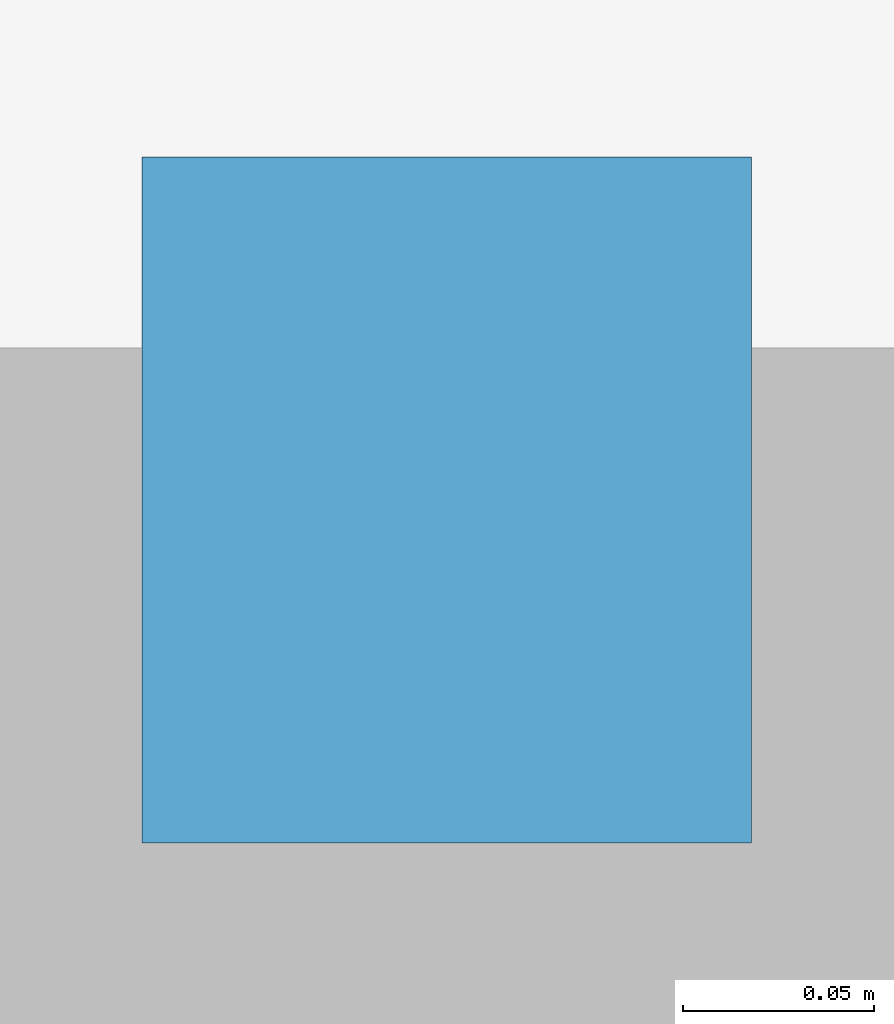
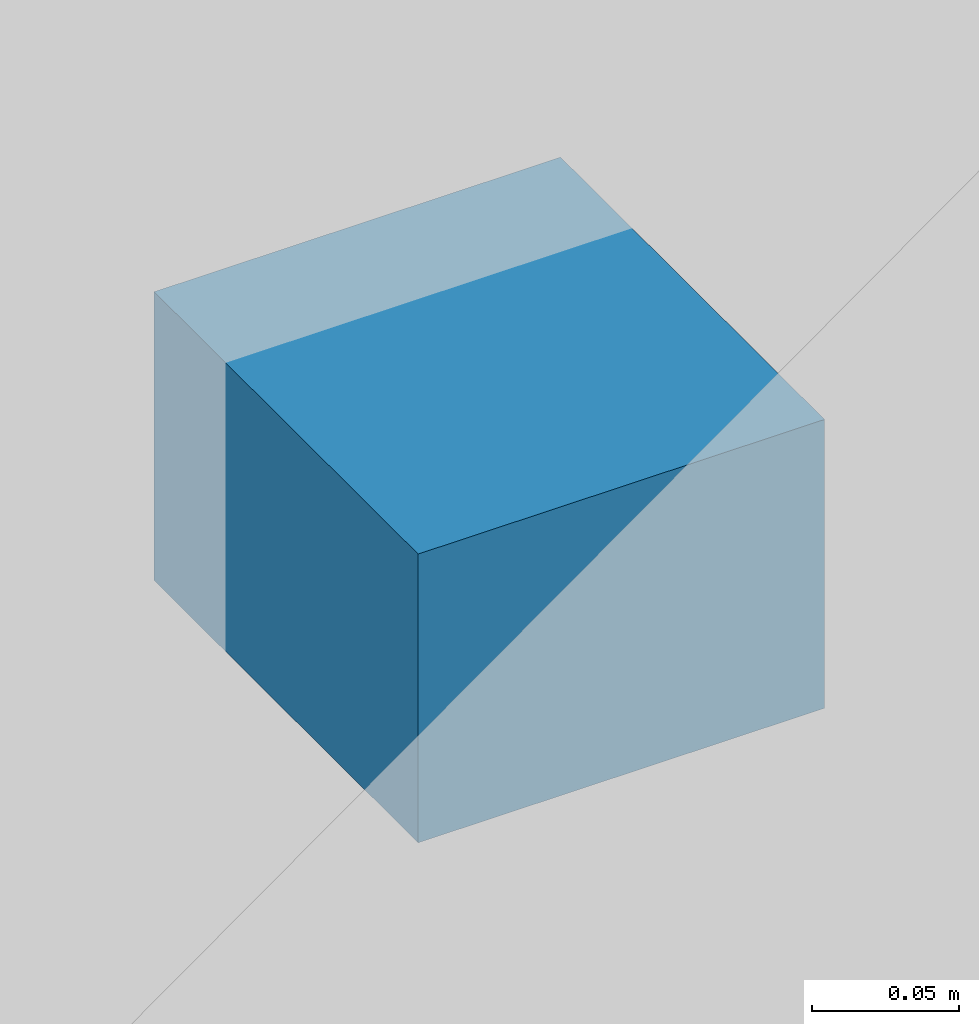
# One storey, part 33 of 36: 1 discrete accessory.
"""IFC4 building model written with IfcOpenShell, lengths in metres."""

from ifc_helpers import new_model, si_unit, direction, frame, origin, origin_2d, place, context, subcontext, project, spatial, rectangle, extrude, material, type_object, element, save


model = new_model("IFC4")

# Units and contexts
model_context = context("Model", 3, precision=1e-05, world=origin(), true_north=direction((0.0, 1.0)))
body_context = subcontext(model_context, "Body", "Model", "MODEL_VIEW")
ifc_project = project(units=[si_unit("LENGTHUNIT", "METRE"), si_unit("AREAUNIT", "SQUARE_METRE"), si_unit("VOLUMEUNIT", "CUBIC_METRE"), si_unit("PLANEANGLEUNIT", "RADIAN"), si_unit("MASSUNIT", "GRAM", prefix="KILO")], contexts=[model_context])

# Site, building, storey
site_placement = place(None, origin())
site = spatial("IfcSite", under=ifc_project, at=site_placement, CompositionType="ELEMENT")
building_placement = place(site_placement, origin())
building = spatial("IfcBuilding", under=site, at=building_placement, Name="Kazevale Care Tower and Concert Hall", CompositionType="ELEMENT")
storey_placement = place(building_placement, frame((0.0, 0.0, 14.39990234375)))
storey = spatial("IfcBuildingStorey", under=building, at=storey_placement, Name="L03", CompositionType="ELEMENT", Elevation=14.39990234375)

# Discrete accessory
ifc_material = material(Name="Stainless Steel 316", Category="steel")
discrete_accessory_type = type_object("IfcDiscreteAccessoryType", Name="Hoistway Guide-Rail Wall Bracket HBRK-1", PredefinedType="BRACKET", material=ifc_material)
discrete_accessory_placement = place(storey_placement, frame((99.300048828125, 48.820068359375, 1.239990234375), z_axis=(0.0, 0.0, 1.0), x_axis=(1.0, 0.0, 0.0)))
element("IfcDiscreteAccessory", 1, at=discrete_accessory_placement, inside=storey, type_object=discrete_accessory_type, Name="hbrk:CHL-1:L03", PredefinedType="BRACKET", context=body_context, shape_type="SweptSolid", body=[
    extrude(rectangle(XDim=0.159912109375, YDim=0.179931640625, at=origin_2d()), origin(), (0.0, 0.0, 1.0), 0.1201171875),
])

save(model, "model.ifc")
